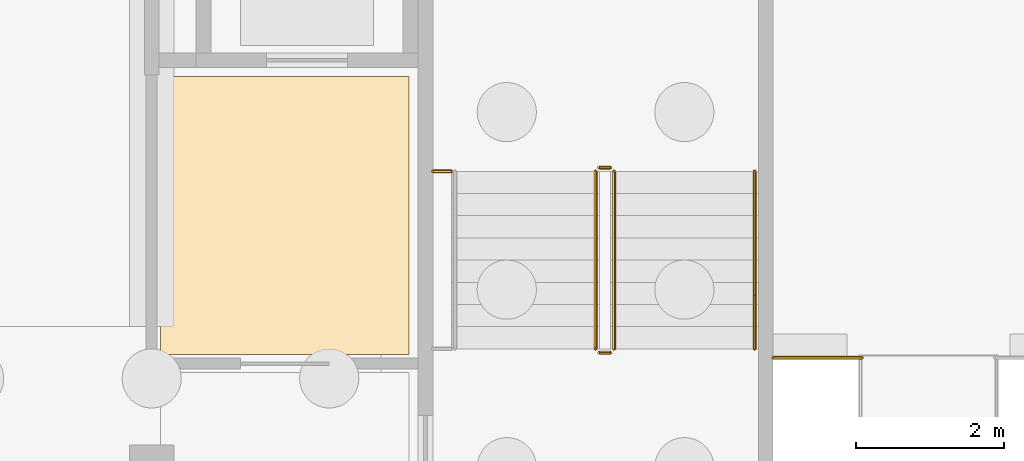
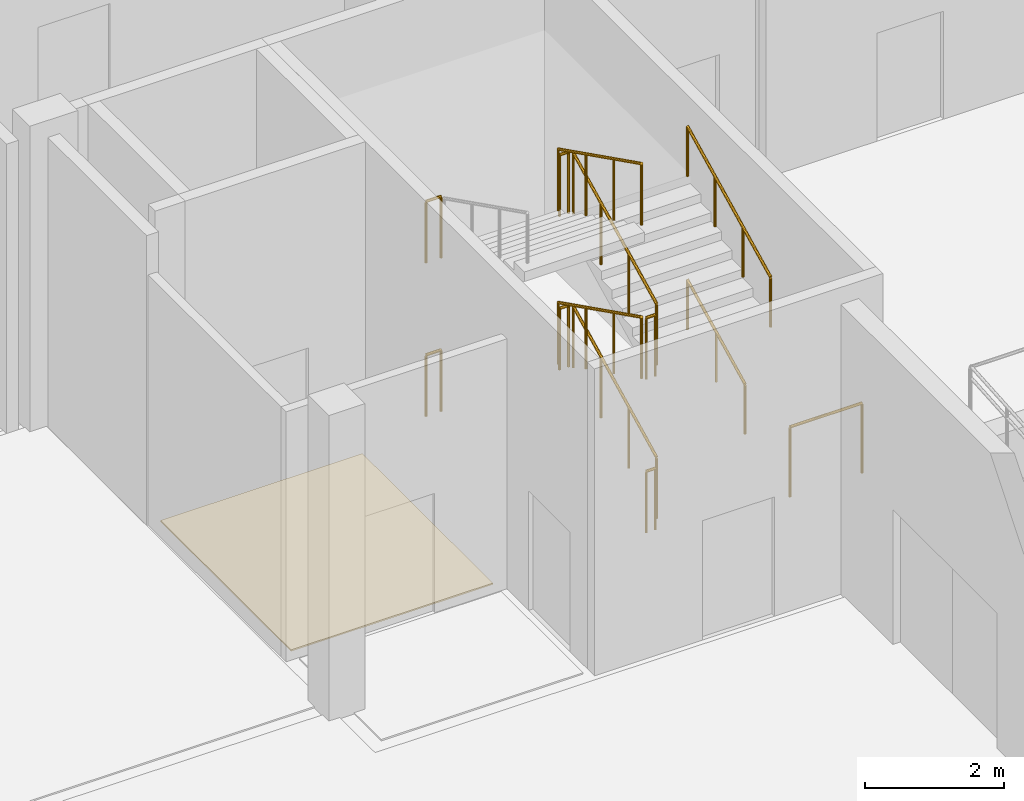
# One storey, part 106 of 129: 13 railings, 1 covering.
"""IFC4 building model written with IfcOpenShell, lengths in metres."""

from ifc_helpers import new_model, si_unit, direction, frame, origin, origin_2d, place, context, subcontext, project, spatial, polyline, circle, outline, extrude, material, layer, layer_set, type_object, element, save


model = new_model("IFC4")

# Units and contexts
model_context = context("Model", 3, precision=1e-05, world=origin(), true_north=direction((0.0, 1.0)))
body_context = subcontext(model_context, "Body", "Model", "MODEL_VIEW")
ifc_project = project(units=[si_unit("LENGTHUNIT", "METRE"), si_unit("AREAUNIT", "SQUARE_METRE"), si_unit("VOLUMEUNIT", "CUBIC_METRE"), si_unit("PLANEANGLEUNIT", "RADIAN"), si_unit("MASSUNIT", "GRAM", prefix="KILO")], contexts=[model_context])

# Site, building, storey
site_placement = place(None, origin())
site = spatial("IfcSite", under=ifc_project, at=site_placement, CompositionType="ELEMENT")
building_placement = place(site_placement, origin())
building = spatial("IfcBuilding", under=site, at=building_placement, Name="Kiln Court Media Centre", CompositionType="ELEMENT")
storey_placement = place(building_placement, origin())
storey = spatial("IfcBuildingStorey", under=building, at=storey_placement, Name="L00", CompositionType="ELEMENT", Elevation=0.0)

# Covering
ifc_material_1 = material(Name="Terrazzo")
ifc_layer = layer(ifc_material_1, 0.02490234375)
ifc_layer_set = layer_set([ifc_layer], Name="Polished terrazzo floor finish 25")
covering_type = type_object("IfcCoveringType", Name="Polished terrazzo floor finish 25", PredefinedType="FLOORING", material=ifc_layer_set)
covering_placement = place(storey_placement, origin())
element("IfcCovering", 1, at=covering_placement, inside=storey, type_object=covering_type, Name="Fire-fighting Lift Lobby floor finish", PredefinedType="FLOORING", context=body_context, shape_type="SweptSolid", body=[
    extrude(outline(polyline([(50.52001953125, 18.320068359375), (53.8798828125, 18.320068359375), (53.8798828125, 22.080078125), (50.52001953125, 22.080078125), (50.52001953125, 18.320068359375)])), origin(), (0.0, 0.0, 1.0), 0.02490234375),
])

# Railings
ifc_material_2 = material(Name="Steel S275", Category="steel")
railing_type_1 = type_object("IfcRailingType", Name="Steel S275 stair guard 1100", PredefinedType="GUARDRAIL", material=ifc_material_2)
railing_1_placement = place(storey_placement, frame((56.64990234375, 18.39990234375, 0.14990234375)))
element("IfcRailing", 2, at=railing_1_placement, inside=storey, type_object=railing_type_1, Name="ST-05 stair guard", PredefinedType="GUARDRAIL", context=body_context, shape_type="SweptSolid", body=[
    extrude(circle(Radius=0.02392578125, at=origin_2d()), frame((0.0, 0.0, 1.076171875), z_axis=(0.0, 0.894408994573, 0.447249986504), x_axis=(-1.0, 0.0, 0.0)), (0.0, 0.0, 1.0), 2.68359375),
    extrude(circle(Radius=0.02099609375, at=origin_2d()), origin(), (0.0, 0.0, 1.0), 1.052001953125),
    extrude(circle(Radius=0.02099609375, at=origin_2d()), frame((0.0, 0.800048828125, 0.400146484375)), (0.0, 0.0, 1.0), 1.052001953125),
    extrude(circle(Radius=0.02099609375, at=origin_2d()), frame((0.0, 1.60009765625, 0.800048828125)), (0.0, 0.0, 1.0), 1.052001953125),
    extrude(circle(Radius=0.02099609375, at=origin_2d()), frame((0.0, 2.400146484375, 1.2001953125)), (0.0, 0.0, 1.0), 1.052001953125),
])
railing_2_placement = place(storey_placement, frame((56.60009765625, 20.85009765625, 1.35009765625)))
element("IfcRailing", 3, at=railing_2_placement, inside=storey, type_object=railing_type_1, Name="ST-05 stair guard", PredefinedType="GUARDRAIL", context=body_context, shape_type="SweptSolid", body=[
    extrude(circle(Radius=0.02392578125, at=origin_2d()), frame((0.0, 0.0, 1.076171875), z_axis=(-1.0, 0.0, 0.0), x_axis=(0.0, -1.0, 0.0)), (0.0, 0.0, 1.0), 0.150146484375),
    extrude(circle(Radius=0.02099609375, at=origin_2d()), origin(), (0.0, 0.0, 1.0), 1.052001953125),
    extrude(circle(Radius=0.02099609375, at=origin_2d()), frame((-0.150146484375, 0.0, 0.0)), (0.0, 0.0, 1.0), 1.052001953125),
])
railing_3_placement = place(storey_placement, frame((56.39990234375, 20.800048828125, 1.5)))
element("IfcRailing", 4, at=railing_3_placement, inside=storey, type_object=railing_type_1, Name="ST-05 stair guard", PredefinedType="GUARDRAIL", context=body_context, shape_type="SweptSolid", body=[
    extrude(circle(Radius=0.02392578125, at=origin_2d()), frame((0.0, 0.0, 1.076171875), z_axis=(0.0, -0.894445386687, 0.447177202275), x_axis=(1.0, 0.0, 0.0)), (0.0, 0.0, 1.0), 2.683349609375),
    extrude(circle(Radius=0.02099609375, at=origin_2d()), origin(), (0.0, 0.0, 1.0), 1.052001953125),
    extrude(circle(Radius=0.02099609375, at=origin_2d()), frame((0.0, -0.800048828125, 0.39990234375)), (0.0, 0.0, 1.0), 1.052001953125),
    extrude(circle(Radius=0.02099609375, at=origin_2d()), frame((0.0, -1.60009765625, 0.800048828125)), (0.0, 0.0, 1.0), 1.052001953125),
    extrude(circle(Radius=0.02099609375, at=origin_2d()), frame((0.0, -2.400146484375, 1.199951171875)), (0.0, 0.0, 1.0), 1.052001953125),
])
railing_4_placement = place(storey_placement, frame((56.60009765625, 18.35009765625, 2.699951171875)))
element("IfcRailing", 5, at=railing_4_placement, inside=storey, type_object=railing_type_1, Name="ST-05 stair guard", PredefinedType="GUARDRAIL", context=body_context, shape_type="SweptSolid", body=[
    extrude(circle(Radius=0.02392578125, at=origin_2d()), frame((0.0, 0.0, 1.076171875), z_axis=(-1.0, 0.0, 0.0), x_axis=(0.0, -1.0, 0.0)), (0.0, 0.0, 1.0), 0.150146484375),
    extrude(circle(Radius=0.02099609375, at=origin_2d()), origin(), (0.0, 0.0, 1.0), 1.052001953125),
    extrude(circle(Radius=0.02099609375, at=origin_2d()), frame((-0.150146484375, 0.0, 0.0)), (0.0, 0.0, 1.0), 1.052001953125),
])
railing_5_placement = place(storey_placement, frame((56.64990234375, 18.39990234375, 2.85009765625)))
element("IfcRailing", 6, at=railing_5_placement, inside=storey, type_object=railing_type_1, Name="ST-05 stair guard", PredefinedType="GUARDRAIL", context=body_context, shape_type="SweptSolid", body=[
    extrude(circle(Radius=0.02392578125, at=origin_2d()), frame((0.0, 0.0, 1.076171875), z_axis=(0.0, 0.894445386687, 0.447177202275), x_axis=(-1.0, 0.0, 0.0)), (0.0, 0.0, 1.0), 2.683349609375),
    extrude(circle(Radius=0.02099609375, at=origin_2d()), origin(), (0.0, 0.0, 1.0), 1.052001953125),
    extrude(circle(Radius=0.02099609375, at=origin_2d()), frame((0.0, 0.800048828125, 0.39990234375)), (0.0, 0.0, 1.0), 1.052001953125),
    extrude(circle(Radius=0.02099609375, at=origin_2d()), frame((0.0, 1.60009765625, 0.800048828125)), (0.0, 0.0, 1.0), 1.052001953125),
    extrude(circle(Radius=0.02099609375, at=origin_2d()), frame((0.0, 2.400146484375, 1.199951171875)), (0.0, 0.0, 1.0), 1.052001953125),
])
railing_6_placement = place(storey_placement, frame((56.60009765625, 20.85009765625, 4.050048828125)))
element("IfcRailing", 7, at=railing_6_placement, inside=storey, type_object=railing_type_1, Name="ST-05 stair guard", PredefinedType="GUARDRAIL", context=body_context, shape_type="SweptSolid", body=[
    extrude(circle(Radius=0.02392578125, at=origin_2d()), frame((0.0, 0.0, 1.076171875), z_axis=(-1.0, 0.0, 0.0), x_axis=(0.0, -1.0, 0.0)), (0.0, 0.0, 1.0), 0.150146484375),
    extrude(circle(Radius=0.02099609375, at=origin_2d()), origin(), (0.0, 0.0, 1.0), 1.052001953125),
    extrude(circle(Radius=0.02099609375, at=origin_2d()), frame((-0.150146484375, 0.0, 0.0)), (0.0, 0.0, 1.0), 1.052001953125),
])
railing_7_placement = place(storey_placement, frame((56.39990234375, 20.800048828125, 4.199951171875)))
element("IfcRailing", 8, at=railing_7_placement, inside=storey, type_object=railing_type_1, Name="ST-05 stair guard", PredefinedType="GUARDRAIL", context=body_context, shape_type="SweptSolid", body=[
    extrude(circle(Radius=0.02392578125, at=origin_2d()), frame((0.0, 0.0, 1.076171875), z_axis=(0.0, -0.894445386687, 0.447177202275), x_axis=(1.0, 0.0, 0.0)), (0.0, 0.0, 1.0), 2.683349609375),
    extrude(circle(Radius=0.02099609375, at=origin_2d()), origin(), (0.0, 0.0, 1.0), 1.052001953125),
    extrude(circle(Radius=0.02099609375, at=origin_2d()), frame((0.0, -0.800048828125, 0.39990234375)), (0.0, 0.0, 1.0), 1.052001953125),
    extrude(circle(Radius=0.02099609375, at=origin_2d()), frame((0.0, -1.60009765625, 0.800048828125)), (0.0, 0.0, 1.0), 1.052001953125),
    extrude(circle(Radius=0.02099609375, at=origin_2d()), frame((0.0, -2.400146484375, 1.199951171875)), (0.0, 0.0, 1.0), 1.052001953125),
])
railing_8_placement = place(storey_placement, frame((56.60009765625, 18.35009765625, 0.0)))
element("IfcRailing", 9, at=railing_8_placement, inside=storey, type_object=railing_type_1, Name="ST-05 stair guard", PredefinedType="GUARDRAIL", context=body_context, shape_type="SweptSolid", body=[
    extrude(circle(Radius=0.02392578125, at=origin_2d()), frame((0.0, 0.0, 1.076171875), z_axis=(-1.0, 0.0, 0.0), x_axis=(0.0, -1.0, 0.0)), (0.0, 0.0, 1.0), 0.150146484375),
    extrude(circle(Radius=0.02099609375, at=origin_2d()), origin(), (0.0, 0.0, 1.0), 1.052001953125),
    extrude(circle(Radius=0.02099609375, at=origin_2d()), frame((-0.150146484375, 0.0, 0.0)), (0.0, 0.0, 1.0), 1.052001953125),
])
for number, where, name in (
    (10, (54.449951171875, 20.800048828125, 1.35009765625), "ST-05 landing edge guard"),
    (11, (54.449951171875, 20.800048828125, 4.050048828125), "ST-05 landing edge guard"),
):
    element("IfcRailing", number, at=place(storey_placement, frame(where)), inside=storey, type_object=railing_type_1, Name=name, PredefinedType="GUARDRAIL", context=body_context, shape_type="SweptSolid", body=[
        extrude(circle(Radius=0.02392578125, at=origin_2d()), frame((0.0, 0.0, 1.076171875), z_axis=(-1.0, 0.0, 0.0), x_axis=(0.0, -1.0, 0.0)), (0.0, 0.0, 1.0), 0.25),
        extrude(circle(Radius=0.02099609375, at=origin_2d()), origin(), (0.0, 0.0, 1.0), 1.052001953125),
        extrude(circle(Radius=0.02099609375, at=origin_2d()), frame((-0.25, 0.0, 0.0)), (0.0, 0.0, 1.0), 1.052001953125),
    ])
ifc_material_3 = material(Name="Steel S275", Category="steel")
railing_type_2 = type_object("IfcRailingType", Name="Steel S275 stair handrail 900", PredefinedType="HANDRAIL", material=ifc_material_3)
railing_9_placement = place(storey_placement, frame((58.550048828125, 19.139892578125, 0.52001953125)))
element("IfcRailing", 12, at=railing_9_placement, inside=storey, type_object=railing_type_2, Name="ST-05 stair handrail", PredefinedType="HANDRAIL", context=body_context, shape_type="SweptSolid", body=[
    extrude(circle(Radius=0.02392578125, at=origin_2d()), frame((0.0, 0.0, 0.8759765625), z_axis=(0.0, 0.894427191, 0.4472135955), x_axis=(-1.0, 0.0, 0.0)), (0.0, 0.0, 1.0), 1.856201171875),
    extrude(circle(Radius=0.02099609375, at=origin_2d()), origin(), (0.0, 0.0, 1.0), 0.851806640625),
    extrude(circle(Radius=0.02099609375, at=origin_2d()), frame((0.0, 0.830078125, 0.4150390625)), (0.0, 0.0, 1.0), 0.851806640625),
    extrude(circle(Radius=0.02099609375, at=origin_2d()), frame((0.0, 1.66015625, 0.830078125)), (0.0, 0.0, 1.0), 0.851806640625),
])
railing_10_placement = place(storey_placement, frame((58.550048828125, 18.39990234375, 2.85009765625)))
element("IfcRailing", 13, at=railing_10_placement, inside=storey, type_object=railing_type_2, Name="ST-05 stair handrail", PredefinedType="HANDRAIL", context=body_context, shape_type="SweptSolid", body=[
    extrude(circle(Radius=0.02392578125, at=origin_2d()), frame((0.0, 0.0, 0.8759765625), z_axis=(0.0, 0.894445386687, 0.447177202275), x_axis=(-1.0, 0.0, 0.0)), (0.0, 0.0, 1.0), 2.683349609375),
    extrude(circle(Radius=0.02099609375, at=origin_2d()), origin(), (0.0, 0.0, 1.0), 0.851806640625),
    extrude(circle(Radius=0.02099609375, at=origin_2d()), frame((0.0, 0.800048828125, 0.39990234375)), (0.0, 0.0, 1.0), 0.851806640625),
    extrude(circle(Radius=0.02099609375, at=origin_2d()), frame((0.0, 1.60009765625, 0.800048828125)), (0.0, 0.0, 1.0), 0.851806640625),
    extrude(circle(Radius=0.02099609375, at=origin_2d()), frame((0.0, 2.400146484375, 1.199951171875)), (0.0, 0.0, 1.0), 0.851806640625),
])
ifc_material_4 = material(Name="Steel ASTM A572 Gr 50", Category="steel")
railing_type_3 = type_object("IfcRailingType", Name="Steel guard rail 1100", PredefinedType="GUARDRAIL", material=ifc_material_4)
railing_11_placement = place(storey_placement, frame((58.800048828125, 18.279052734375, -0.14990234375)))
element("IfcRailing", 14, at=railing_11_placement, inside=storey, type_object=railing_type_3, Name="Deck edge guard 1", PredefinedType="GUARDRAIL", context=body_context, shape_type="SweptSolid", body=[
    extrude(circle(Radius=0.02392578125, at=origin_2d()), frame((0.0, 0.0, 1.22607421875), z_axis=(1.0, 0.0, 0.0), x_axis=(0.0, 1.0, 0.0)), (0.0, 0.0, 1.0), 1.199951171875),
    extrude(circle(Radius=0.02099609375, at=origin_2d()), origin(), (0.0, 0.0, 1.0), 1.201904296875),
    extrude(circle(Radius=0.02099609375, at=origin_2d()), frame((1.199951171875, 0.0, 0.0)), (0.0, 0.0, 1.0), 1.201904296875),
])

save(model, "model.ifc")
